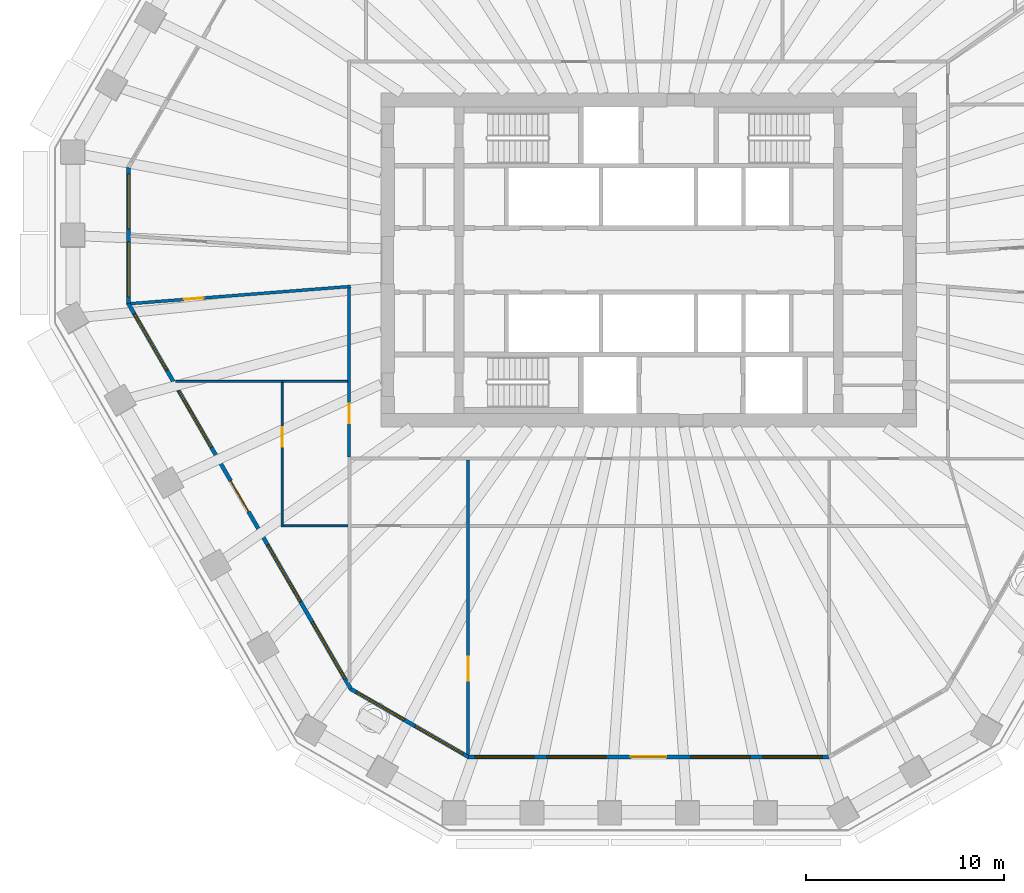
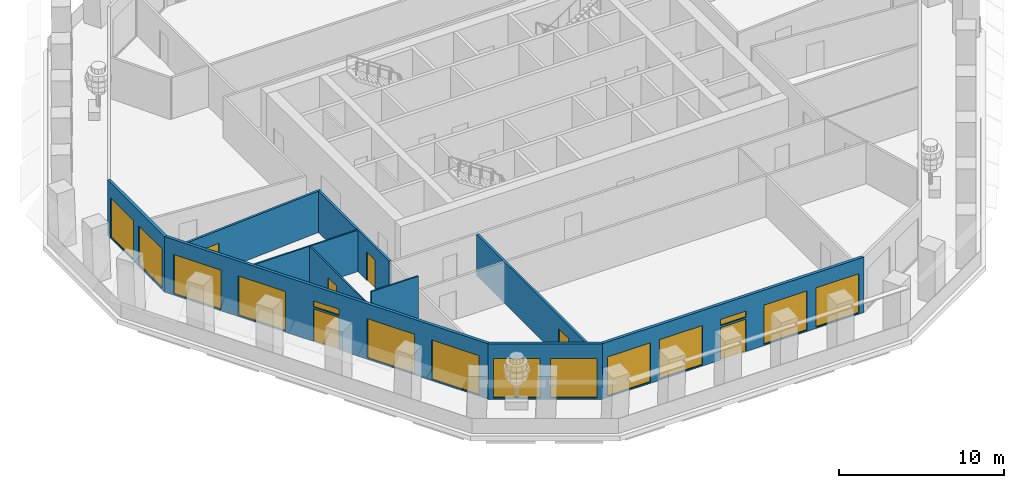
# One storey, part 3 of 13: 14 windows, 10 walls, 6 doors, 20 openings.
"""IFC4 building model written with IfcOpenShell, lengths in metres."""

from ifc_helpers import new_model, si_unit, direction, frame, frame_2d, origin, place, context, subcontext, project, spatial, polyline, rectangle, outline, extrude, material, layer, layer_set, type_object, element, fill, save


model = new_model("IFC4")

# Units and contexts
model_context = context("Model", 3, precision=1e-05, world=origin(), true_north=direction((0.0, 1.0)))
body_context = subcontext(model_context, "Body", "Model", "MODEL_VIEW")
ifc_project = project(units=[si_unit("LENGTHUNIT", "METRE"), si_unit("AREAUNIT", "SQUARE_METRE"), si_unit("VOLUMEUNIT", "CUBIC_METRE"), si_unit("PLANEANGLEUNIT", "RADIAN"), si_unit("MASSUNIT", "GRAM", prefix="KILO")], contexts=[model_context])

# Site, building, storey
site_placement = place(None, origin())
site = spatial("IfcSite", under=ifc_project, at=site_placement, CompositionType="ELEMENT")
building_placement = place(site_placement, origin())
building = spatial("IfcBuilding", under=site, at=building_placement, Name="Frailejon Research Tower", CompositionType="ELEMENT")
storey_placement = place(building_placement, frame((0.0, 0.0, 184.800048828125)))
storey = spatial("IfcBuildingStorey", under=building, at=storey_placement, Name="L40", CompositionType="ELEMENT", Elevation=184.800048828125)

# Wall, opening, door
ifc_material_1 = material(Name="Gypsum board and masonry partition", Category="masonry")
ifc_layer_1 = layer(ifc_material_1, 0.14990234375)
ifc_layer_set_1 = layer_set([ifc_layer_1], Name="Corridor wall EI 60, gypsum on steel studs 150")
wall_type_1 = type_object("IfcWallType", Name="Corridor wall EI 60, gypsum on steel studs 150", PredefinedType="PARTITIONING", material=ifc_layer_set_1)
wall_1_placement = place(storey_placement, frame((-15.14990234375, -9.97509765625, 0.0), z_axis=(0.0, 0.0, 1.0), x_axis=(0.0, 1.0, 0.0)))
wall_1 = element("IfcWall", 1, at=wall_1_placement, inside=storey, type_object=wall_type_1, Name="T:IW:L40:004", PredefinedType="PARTITIONING", context=body_context, shape_type="SweptSolid", body=[
    extrude(rectangle(XDim=8.5625, YDim=0.14990234375, at=frame_2d((4.28125, 0.0))), origin(), (0.0, 0.0, 1.0), 3.050048828125),
])
opening_1_placement = place(wall_1_placement, frame((1.716796875, 0.0, 0.0)))
opening_1 = element("IfcOpeningElement", 2, at=opening_1_placement, cuts=wall_1, Name="Opening D1872", PredefinedType="OPENING", context=body_context, shape_type="SweptSolid", body=[
    extrude(rectangle(XDim=1.0, YDim=2.10009765625, at=frame_2d((0.5, 1.050048828125))), frame((0.0, 0.0849609375, 0.0), z_axis=(0.0, -1.0, 0.0), x_axis=(1.0, 0.0, 0.0)), (0.0, 0.0, 1.0), 0.169921875),
])
ifc_material_2 = material(Name="Timber door leaf", Category="wood")
door_type_1 = type_object("IfcDoorType", Name="Door single leaf, timber, steel frame 1000", OperationType="NOTDEFINED", PredefinedType="DOOR", material=ifc_material_2)
door_1_placement = place(opening_1_placement, origin())
door_1 = element("IfcDoor", 3, at=door_1_placement, inside=storey, type_object=door_type_1, Name="D1872", OperationType="SINGLE_SWING_RIGHT", OverallHeight=2.10009765625, OverallWidth=1.0, PredefinedType="DOOR", context=body_context, shape_type="SweptSolid", body=[
    extrude(rectangle(XDim=1.0, YDim=2.10009765625, at=frame_2d((0.5, 1.050048828125))), frame((0.0, 0.02490234375, 0.0), z_axis=(0.0, -1.0, 0.0), x_axis=(1.0, 0.0, 0.0)), (0.0, 0.0, 1.0), 0.050048828125),
])
fill(opening_1, door_1)

wall_2_placement = place(storey_placement, frame((-26.210205078125, -2.202392578125, 0.0), z_axis=(0.0, 0.0, 1.0), x_axis=(0.9969573922, 0.077948432559, 0.0)))
wall_2 = element("IfcWall", 4, at=wall_2_placement, inside=storey, type_object=wall_type_1, Name="T:IW:L40:008", PredefinedType="PARTITIONING", context=body_context, shape_type="SweptSolid", body=[
    extrude(rectangle(XDim=11.1689453125, YDim=0.14990234375, at=frame_2d((5.58447265625, 0.0))), origin(), (0.0, 0.0, 1.0), 3.050048828125),
])
opening_2_placement = place(wall_2_placement, frame((2.698486328125, 0.0, 0.0)))
opening_2 = element("IfcOpeningElement", 5, at=opening_2_placement, cuts=wall_2, Name="Opening D1871", PredefinedType="OPENING", context=body_context, shape_type="SweptSolid", body=[
    extrude(rectangle(XDim=1.0, YDim=2.10009765625, at=frame_2d((0.5, 1.050048828125))), frame((0.0, 0.0849609375, 0.0), z_axis=(0.0, -1.0, 0.0), x_axis=(1.0, 0.0, 0.0)), (0.0, 0.0, 1.0), 0.169921875),
])
door_2_placement = place(opening_2_placement, origin())
door_2 = element("IfcDoor", 6, at=door_2_placement, inside=storey, type_object=door_type_1, Name="D1871", OperationType="SINGLE_SWING_LEFT", OverallHeight=2.10009765625, OverallWidth=1.0, PredefinedType="DOOR", context=body_context, shape_type="SweptSolid", body=[
    extrude(rectangle(XDim=1.0, YDim=2.10009765625, at=frame_2d((0.5, 1.050048828125))), frame((0.0, 0.02490234375, 0.0), z_axis=(0.0, -1.0, 0.0), x_axis=(1.0, 0.0, 0.0)), (0.0, 0.0, 1.0), 0.050048828125),
])
fill(opening_2, door_2)

ifc_material_3 = material(Name="Gypsum board and masonry partition", Category="masonry")
ifc_layer_2 = layer(ifc_material_3, 0.14990234375)
ifc_layer_set_2 = layer_set([ifc_layer_2], Name="Laboratory partition, blockwork 150")
wall_type_2 = type_object("IfcWallType", Name="Laboratory partition, blockwork 150", PredefinedType="PARTITIONING", material=ifc_layer_set_2)
wall_3_placement = place(storey_placement, frame((-9.137939453125, -25.013427734375, 0.0), z_axis=(0.0, 0.0, 1.0), x_axis=(0.0, 1.0, 0.0)))
wall_3 = element("IfcWall", 7, at=wall_3_placement, inside=storey, type_object=wall_type_2, Name="T:IW:L40:020", PredefinedType="PARTITIONING", context=body_context, shape_type="SweptSolid", body=[
    extrude(rectangle(XDim=14.888427734375, YDim=0.14990234375, at=frame_2d((7.4443359375, 0.0))), origin(), (0.0, 0.0, 1.0), 3.050048828125),
])
opening_3_placement = place(wall_3_placement, frame((3.732177734375, 0.0, 0.0)))
opening_3 = element("IfcOpeningElement", 8, at=opening_3_placement, cuts=wall_3, Name="Opening D1876", PredefinedType="OPENING", context=body_context, shape_type="SweptSolid", body=[
    extrude(rectangle(XDim=1.199951171875, YDim=2.10009765625, at=frame_2d((0.60009765625, 1.050048828125))), frame((0.0, 0.0849609375, 0.0), z_axis=(0.0, -1.0, 0.0), x_axis=(1.0, 0.0, 0.0)), (0.0, 0.0, 1.0), 0.169921875),
])
ifc_material_4 = material(Name="Timber door leaf", Category="wood")
door_type_2 = type_object("IfcDoorType", Name="Door laboratory, timber, vision panel 1200", OperationType="NOTDEFINED", PredefinedType="DOOR", material=ifc_material_4)
door_3_placement = place(opening_3_placement, origin())
door_3 = element("IfcDoor", 9, at=door_3_placement, inside=storey, type_object=door_type_2, Name="D1876", OperationType="DOUBLE_DOOR_SINGLE_SWING", OverallHeight=2.10009765625, OverallWidth=1.199951171875, PredefinedType="DOOR", context=body_context, shape_type="SweptSolid", body=[
    extrude(rectangle(XDim=1.199951171875, YDim=2.10009765625, at=frame_2d((0.60009765625, 1.050048828125))), frame((0.0, 0.02490234375, 0.0), z_axis=(0.0, -1.0, 0.0), x_axis=(1.0, 0.0, 0.0)), (0.0, 0.0, 1.0), 0.050048828125),
])
fill(opening_3, door_3)

# Walls
ifc_material_5 = material(Name="Gypsum board and masonry partition", Category="masonry")
ifc_layer_3 = layer(ifc_material_5, 0.10009765625)
ifc_layer_set_3 = layer_set([ifc_layer_3], Name="Partition, gypsum on steel studs 100")
wall_type_3 = type_object("IfcWallType", Name="Partition, gypsum on steel studs 100", PredefinedType="PARTITIONING", material=ifc_layer_set_3)
wall_4_placement = place(storey_placement, frame((-23.941650390625, -6.1318359375, 0.0), z_axis=(0.0, 0.0, 1.0), x_axis=(1.0, 0.0, 0.0)))
element("IfcWall", 10, at=wall_4_placement, inside=storey, type_object=wall_type_3, Name="T:IW:L40:024", PredefinedType="PARTITIONING", context=body_context, shape_type="SweptSolid", body=[
    extrude(rectangle(XDim=8.716552734375, YDim=0.10009765625, at=frame_2d((4.3583984375, 0.0))), origin(), (0.0, 0.0, 1.0), 3.050048828125),
])
wall_5_placement = place(storey_placement, frame((-18.5, -13.449951171875, 0.0), z_axis=(0.0, 0.0, 1.0), x_axis=(1.0, 0.0, 0.0)))
element("IfcWall", 11, at=wall_5_placement, inside=storey, type_object=wall_type_3, Name="T:IW:L40:025", PredefinedType="PARTITIONING", context=body_context, shape_type="SweptSolid", body=[
    extrude(rectangle(XDim=3.287109375, YDim=0.10009765625, at=frame_2d((1.6435546875, 0.0))), origin(), (0.0, 0.0, 1.0), 4.099853515625),
])

# Wall, opening, door
wall_6_placement = place(storey_placement, frame((-18.550048828125, -13.5, 0.0), z_axis=(0.0, 0.0, 1.0), x_axis=(0.0, 1.0, 0.0)))
wall_6 = element("IfcWall", 12, at=wall_6_placement, inside=storey, type_object=wall_type_3, Name="T:IW:L40:026", PredefinedType="PARTITIONING", context=body_context, shape_type="SweptSolid", body=[
    extrude(rectangle(XDim=7.318115234375, YDim=0.10009765625, at=frame_2d((3.6591796875, 0.0))), origin(), (0.0, 0.0, 1.0), 3.050048828125),
])
opening_4_placement = place(wall_6_placement, frame((4.0517578125, 0.0, 0.0)))
opening_4 = element("IfcOpeningElement", 13, at=opening_4_placement, cuts=wall_6, Name="Opening D1873", PredefinedType="OPENING", context=body_context, shape_type="SweptSolid", body=[
    extrude(rectangle(XDim=1.0, YDim=2.10009765625, at=frame_2d((0.5, 1.050048828125))), frame((0.0, 0.06005859375, 0.0), z_axis=(0.0, -1.0, 0.0), x_axis=(1.0, 0.0, 0.0)), (0.0, 0.0, 1.0), 0.1201171875),
])
door_4_placement = place(opening_4_placement, origin())
door_4 = element("IfcDoor", 14, at=door_4_placement, inside=storey, type_object=door_type_1, Name="D1873", OperationType="SINGLE_SWING_LEFT", OverallHeight=2.10009765625, OverallWidth=1.0, PredefinedType="DOOR", context=body_context, shape_type="SweptSolid", body=[
    extrude(rectangle(XDim=1.0, YDim=2.10009765625, at=frame_2d((0.5, 1.050048828125))), frame((0.0, 0.02490234375, 0.0), z_axis=(0.0, -1.0, 0.0), x_axis=(1.0, 0.0, 0.0)), (0.0, 0.0, 1.0), 0.050048828125),
])
fill(opening_4, door_4)

# Wall, openings, windows
ifc_material_6 = material(Name="Concrete C40/50 precast window wall panel", Category="concrete")
ifc_layer_4 = layer(ifc_material_6, 0.199951171875)
ifc_layer_set_4 = layer_set([ifc_layer_4], Name="Window wall 200")
wall_type_4 = type_object("IfcWallType", Name="Window wall 200", PredefinedType="SOLIDWALL", material=ifc_layer_set_4)
wall_7_placement = place(storey_placement, frame((-26.331298828125, 4.681884765625, 0.0), z_axis=(0.0, 0.0, 1.0), x_axis=(0.0, -1.0, 0.0)))
wall_7 = element("IfcWall", 15, at=wall_7_placement, inside=storey, type_object=wall_type_4, Name="Exterior wall L40", PredefinedType="SOLIDWALL", context=body_context, shape_type="SweptSolid", body=[
    extrude(outline(polyline([(-0.02685546875, -0.10009765625), (1.1279296875, -0.10009765625), (2.28271484375, -0.10009765625), (3.4375, -0.10009765625), (4.592041015625, -0.10009765625), (5.746826171875, -0.10009765625), (6.901611328125, -0.10009765625), (6.847900390625, 0.10009765625), (5.7109375, 0.10009765625), (4.57421875, 0.10009765625), (3.4375, 0.10009765625), (2.300537109375, 0.10009765625), (1.16357421875, 0.10009765625), (0.02685546875, 0.10009765625), (-0.02685546875, -0.10009765625)])), origin(), (0.0, 0.0, 1.0), 4.099853515625),
])
opening_5_placement = place(wall_7_placement, frame((0.318603515625, 0.0, 0.10009765625)))
opening_5 = element("IfcOpeningElement", 16, at=opening_5_placement, cuts=wall_7, Name="Opening W3", PredefinedType="OPENING", context=body_context, shape_type="SweptSolid", body=[
    extrude(rectangle(XDim=2.800048828125, YDim=2.89990234375, at=frame_2d((1.39990234375, 1.449951171875))), frame((0.0, 0.10986328125, 0.0), z_axis=(0.0, -1.0, 0.0), x_axis=(1.0, 0.0, 0.0)), (0.0, 0.0, 1.0), 0.219970703125),
])
opening_6_placement = place(wall_7_placement, frame((3.756103515625, 0.0, 0.10009765625)))
opening_6 = element("IfcOpeningElement", 17, at=opening_6_placement, cuts=wall_7, Name="Opening W3", PredefinedType="OPENING", context=body_context, shape_type="SweptSolid", body=[
    extrude(rectangle(XDim=2.800048828125, YDim=2.89990234375, at=frame_2d((1.39990234375, 1.449951171875))), frame((0.0, 0.10986328125, 0.0), z_axis=(0.0, -1.0, 0.0), x_axis=(1.0, 0.0, 0.0)), (0.0, 0.0, 1.0), 0.219970703125),
])
ifc_material_7 = material(Name="Aluminium framed double glazing", Category="aluminium")
window_type_1 = type_object("IfcWindowType", Name="Window 2800x2900", PartitioningType="SINGLE_PANEL", PredefinedType="WINDOW", material=ifc_material_7)
window_1_placement = place(opening_5_placement, origin())
window_1 = element("IfcWindow", 18, at=window_1_placement, inside=storey, type_object=window_type_1, Name="Window L40", OverallHeight=2.89990234375, OverallWidth=2.800048828125, PartitioningType="SINGLE_PANEL", PredefinedType="WINDOW", context=body_context, shape_type="SweptSolid", body=[
    extrude(rectangle(XDim=2.800048828125, YDim=2.89990234375, at=frame_2d((1.39990234375, 1.449951171875))), frame((0.0, 0.030029296875, 0.0), z_axis=(0.0, -1.0, 0.0), x_axis=(1.0, 0.0, 0.0)), (0.0, 0.0, 1.0), 0.06005859375),
])
fill(opening_5, window_1)
window_2_placement = place(opening_6_placement, origin())
window_2 = element("IfcWindow", 19, at=window_2_placement, inside=storey, type_object=window_type_1, Name="Window L40", OverallHeight=2.89990234375, OverallWidth=2.800048828125, PartitioningType="SINGLE_PANEL", PredefinedType="WINDOW", context=body_context, shape_type="SweptSolid", body=[
    extrude(rectangle(XDim=2.800048828125, YDim=2.89990234375, at=frame_2d((1.39990234375, 1.449951171875))), frame((0.0, 0.030029296875, 0.0), z_axis=(0.0, -1.0, 0.0), x_axis=(1.0, 0.0, 0.0)), (0.0, 0.0, 1.0), 0.06005859375),
])
fill(opening_6, window_2)

# Wall, openings, door, windows
wall_8_placement = place(storey_placement, frame((-26.331298828125, -2.19287109375, 0.0), z_axis=(0.0, 0.0, 1.0), x_axis=(0.499998501835, -0.866026268748, 0.0)))
wall_8 = element("IfcWall", 20, at=wall_8_placement, inside=storey, type_object=wall_type_4, Name="Exterior wall L40", PredefinedType="SOLIDWALL", context=body_context, shape_type="SweptSolid", body=[
    extrude(outline(polyline([(-0.02685546875, -0.10009765625), (0.999755859375, -0.10009765625), (2.026611328125, -0.10009765625), (3.05322265625, -0.10009765625), (4.079833984375, -0.10009765625), (5.1064453125, -0.10009765625), (6.13330078125, -0.10009765625), (7.159912109375, -0.10009765625), (8.1865234375, -0.10009765625), (9.213134765625, -0.10009765625), (10.239990234375, -0.10009765625), (11.2666015625, -0.10009765625), (12.293212890625, -0.10009765625), (13.320068359375, -0.10009765625), (14.3466796875, -0.10009765625), (15.373291015625, -0.10009765625), (16.39990234375, -0.10009765625), (17.4267578125, -0.10009765625), (18.453369140625, -0.10009765625), (19.47998046875, -0.10009765625), (20.506591796875, -0.10009765625), (21.533447265625, -0.10009765625), (22.56005859375, -0.10009765625), (22.50634765625, 0.10009765625), (21.484619140625, 0.10009765625), (20.462646484375, 0.10009765625), (19.44091796875, 0.10009765625), (18.419189453125, 0.10009765625), (17.3974609375, 0.10009765625), (16.37548828125, 0.10009765625), (15.353759765625, 0.10009765625), (14.33203125, 0.10009765625), (13.310302734375, 0.10009765625), (12.288330078125, 0.10009765625), (11.2666015625, 0.10009765625), (10.244873046875, 0.10009765625), (9.222900390625, 0.10009765625), (8.201171875, 0.10009765625), (7.179443359375, 0.10009765625), (6.15771484375, 0.10009765625), (5.1357421875, 0.10009765625), (4.114013671875, 0.10009765625), (3.09228515625, 0.10009765625), (2.070556640625, 0.10009765625), (1.048583984375, 0.10009765625), (0.02685546875, 0.10009765625), (-0.02685546875, -0.10009765625)])), origin(), (0.0, 0.0, 1.0), 4.099853515625),
])
opening_7_placement = place(wall_8_placement, frame((0.603271484375, 0.0, 0.10009765625)))
opening_7 = element("IfcOpeningElement", 21, at=opening_7_placement, cuts=wall_8, Name="Opening W5", PredefinedType="OPENING", context=body_context, shape_type="SweptSolid", body=[
    extrude(rectangle(XDim=3.300048828125, YDim=2.89990234375, at=frame_2d((1.64990234375, 1.449951171875))), frame((0.0, 0.10986328125, 0.0), z_axis=(0.0, -1.0, 0.0), x_axis=(1.0, 0.0, 0.0)), (0.0, 0.0, 1.0), 0.219970703125),
])
opening_8_placement = place(wall_8_placement, frame((5.110107421875, 0.0, 0.10009765625)))
opening_8 = element("IfcOpeningElement", 22, at=opening_8_placement, cuts=wall_8, Name="Opening W5", PredefinedType="OPENING", context=body_context, shape_type="SweptSolid", body=[
    extrude(rectangle(XDim=3.300048828125, YDim=2.89990234375, at=frame_2d((1.64990234375, 1.449951171875))), frame((0.0, 0.10986328125, 0.0), z_axis=(0.0, -1.0, 0.0), x_axis=(1.0, 0.0, 0.0)), (0.0, 0.0, 1.0), 0.219970703125),
])
opening_9_placement = place(wall_8_placement, frame((10.36669921875, 0.0, 0.0)))
opening_9 = element("IfcOpeningElement", 23, at=opening_9_placement, cuts=wall_8, Name="Opening LG40-4", PredefinedType="OPENING", context=body_context, shape_type="SweptSolid", body=[
    extrude(rectangle(XDim=1.800048828125, YDim=2.39990234375, at=frame_2d((0.89990234375, 1.199951171875))), frame((0.0, 0.10986328125, 0.0), z_axis=(0.0, -1.0, 0.0), x_axis=(1.0, 0.0, 0.0)), (0.0, 0.0, 1.0), 0.219970703125),
])
opening_10_placement = place(wall_8_placement, frame((10.36669921875, 0.0, 2.550048828125)))
opening_10 = element("IfcOpeningElement", 24, at=opening_10_placement, cuts=wall_8, Name="Opening W1", PredefinedType="OPENING", context=body_context, shape_type="SweptSolid", body=[
    extrude(rectangle(XDim=1.800048828125, YDim=0.449951171875, at=frame_2d((0.89990234375, 0.22509765625))), frame((0.0, 0.10986328125, 0.0), z_axis=(0.0, -1.0, 0.0), x_axis=(1.0, 0.0, 0.0)), (0.0, 0.0, 1.0), 0.219970703125),
])
opening_11_placement = place(wall_8_placement, frame((14.123291015625, 0.0, 0.10009765625)))
opening_11 = element("IfcOpeningElement", 25, at=opening_11_placement, cuts=wall_8, Name="Opening W5", PredefinedType="OPENING", context=body_context, shape_type="SweptSolid", body=[
    extrude(rectangle(XDim=3.300048828125, YDim=2.89990234375, at=frame_2d((1.64990234375, 1.449951171875))), frame((0.0, 0.10986328125, 0.0), z_axis=(0.0, -1.0, 0.0), x_axis=(1.0, 0.0, 0.0)), (0.0, 0.0, 1.0), 0.219970703125),
])
opening_12_placement = place(wall_8_placement, frame((18.6298828125, 0.0, 0.10009765625)))
opening_12 = element("IfcOpeningElement", 26, at=opening_12_placement, cuts=wall_8, Name="Opening W5", PredefinedType="OPENING", context=body_context, shape_type="SweptSolid", body=[
    extrude(rectangle(XDim=3.300048828125, YDim=2.89990234375, at=frame_2d((1.64990234375, 1.449951171875))), frame((0.0, 0.10986328125, 0.0), z_axis=(0.0, -1.0, 0.0), x_axis=(1.0, 0.0, 0.0)), (0.0, 0.0, 1.0), 0.219970703125),
])
ifc_material_8 = material(Name="Aluminium framed glazed door leaf", Category="aluminium")
door_type_3 = type_object("IfcDoorType", Name="Loggia door 1800x2400", OperationType="DOUBLE_DOOR_SINGLE_SWING", PredefinedType="DOOR", material=ifc_material_8)
door_5_placement = place(opening_9_placement, origin())
door_5 = element("IfcDoor", 27, at=door_5_placement, inside=storey, type_object=door_type_3, Name="Door LG40-4", OperationType="DOUBLE_DOOR_SINGLE_SWING", OverallHeight=2.39990234375, OverallWidth=1.800048828125, PredefinedType="DOOR", context=body_context, shape_type="SweptSolid", body=[
    extrude(rectangle(XDim=1.800048828125, YDim=2.39990234375, at=frame_2d((0.89990234375, 1.199951171875))), frame((0.0, 0.02490234375, 0.0), z_axis=(0.0, -1.0, 0.0), x_axis=(1.0, 0.0, 0.0)), (0.0, 0.0, 1.0), 0.050048828125),
])
fill(opening_9, door_5)
ifc_material_9 = material(Name="Aluminium framed double glazing", Category="aluminium")
window_type_2 = type_object("IfcWindowType", Name="Window 1800x450", PartitioningType="SINGLE_PANEL", PredefinedType="WINDOW", material=ifc_material_9)
window_3_placement = place(opening_10_placement, origin())
window_3 = element("IfcWindow", 28, at=window_3_placement, inside=storey, type_object=window_type_2, Name="Window L40", OverallHeight=0.449951171875, OverallWidth=1.800048828125, PartitioningType="SINGLE_PANEL", PredefinedType="WINDOW", context=body_context, shape_type="SweptSolid", body=[
    extrude(rectangle(XDim=1.800048828125, YDim=0.449951171875, at=frame_2d((0.89990234375, 0.22509765625))), frame((0.0, 0.030029296875, 0.0), z_axis=(0.0, -1.0, 0.0), x_axis=(1.0, 0.0, 0.0)), (0.0, 0.0, 1.0), 0.06005859375),
])
fill(opening_10, window_3)
ifc_material_10 = material(Name="Aluminium framed double glazing", Category="aluminium")
window_type_3 = type_object("IfcWindowType", Name="Window 3300x2900", PartitioningType="SINGLE_PANEL", PredefinedType="WINDOW", material=ifc_material_10)
window_4_placement = place(opening_7_placement, origin())
window_4 = element("IfcWindow", 29, at=window_4_placement, inside=storey, type_object=window_type_3, Name="Window L40", OverallHeight=2.89990234375, OverallWidth=3.300048828125, PartitioningType="SINGLE_PANEL", PredefinedType="WINDOW", context=body_context, shape_type="SweptSolid", body=[
    extrude(rectangle(XDim=3.300048828125, YDim=2.89990234375, at=frame_2d((1.64990234375, 1.449951171875))), frame((0.0, 0.030029296875, 0.0), z_axis=(0.0, -1.0, 0.0), x_axis=(1.0, 0.0, 0.0)), (0.0, 0.0, 1.0), 0.06005859375),
])
fill(opening_7, window_4)
window_5_placement = place(opening_8_placement, origin())
window_5 = element("IfcWindow", 30, at=window_5_placement, inside=storey, type_object=window_type_3, Name="Window L40", OverallHeight=2.89990234375, OverallWidth=3.300048828125, PartitioningType="SINGLE_PANEL", PredefinedType="WINDOW", context=body_context, shape_type="SweptSolid", body=[
    extrude(rectangle(XDim=3.300048828125, YDim=2.89990234375, at=frame_2d((1.64990234375, 1.449951171875))), frame((0.0, 0.030029296875, 0.0), z_axis=(0.0, -1.0, 0.0), x_axis=(1.0, 0.0, 0.0)), (0.0, 0.0, 1.0), 0.06005859375),
])
fill(opening_8, window_5)
window_6_placement = place(opening_11_placement, origin())
window_6 = element("IfcWindow", 31, at=window_6_placement, inside=storey, type_object=window_type_3, Name="Window L40", OverallHeight=2.89990234375, OverallWidth=3.300048828125, PartitioningType="SINGLE_PANEL", PredefinedType="WINDOW", context=body_context, shape_type="SweptSolid", body=[
    extrude(rectangle(XDim=3.300048828125, YDim=2.89990234375, at=frame_2d((1.64990234375, 1.449951171875))), frame((0.0, 0.030029296875, 0.0), z_axis=(0.0, -1.0, 0.0), x_axis=(1.0, 0.0, 0.0)), (0.0, 0.0, 1.0), 0.06005859375),
])
fill(opening_11, window_6)
window_7_placement = place(opening_12_placement, origin())
window_7 = element("IfcWindow", 32, at=window_7_placement, inside=storey, type_object=window_type_3, Name="Window L40", OverallHeight=2.89990234375, OverallWidth=3.300048828125, PartitioningType="SINGLE_PANEL", PredefinedType="WINDOW", context=body_context, shape_type="SweptSolid", body=[
    extrude(rectangle(XDim=3.300048828125, YDim=2.89990234375, at=frame_2d((1.64990234375, 1.449951171875))), frame((0.0, 0.030029296875, 0.0), z_axis=(0.0, -1.0, 0.0), x_axis=(1.0, 0.0, 0.0)), (0.0, 0.0, 1.0), 0.06005859375),
])
fill(opening_12, window_7)

# Wall, openings, windows
wall_9_placement = place(storey_placement, frame((-15.064697265625, -21.707275390625, 0.0), z_axis=(0.0, 0.0, 1.0), x_axis=(0.866029458321, -0.49999297727, 0.0)))
wall_9 = element("IfcWall", 33, at=wall_9_placement, inside=storey, type_object=wall_type_4, Name="Exterior wall L40", PredefinedType="SOLIDWALL", context=body_context, shape_type="SweptSolid", body=[
    extrude(outline(polyline([(-0.02685546875, -0.10009765625), (1.1279296875, -0.10009765625), (2.282470703125, -0.10009765625), (3.437255859375, -0.10009765625), (4.592041015625, -0.10009765625), (5.74658203125, -0.10009765625), (6.9013671875, -0.10009765625), (6.84765625, 0.10009765625), (5.7109375, 0.10009765625), (4.573974609375, 0.10009765625), (3.437255859375, 0.10009765625), (2.300537109375, 0.10009765625), (1.16357421875, 0.10009765625), (0.02685546875, 0.10009765625), (-0.02685546875, -0.10009765625)])), origin(), (0.0, 0.0, 1.0), 4.099853515625),
])
opening_13_placement = place(wall_9_placement, frame((0.318603515625, 0.0, 0.10009765625)))
opening_13 = element("IfcOpeningElement", 34, at=opening_13_placement, cuts=wall_9, Name="Opening W3", PredefinedType="OPENING", context=body_context, shape_type="SweptSolid", body=[
    extrude(rectangle(XDim=2.800048828125, YDim=2.89990234375, at=frame_2d((1.39990234375, 1.449951171875))), frame((0.0, 0.10986328125, 0.0), z_axis=(0.0, -1.0, 0.0), x_axis=(1.0, 0.0, 0.0)), (0.0, 0.0, 1.0), 0.219970703125),
])
opening_14_placement = place(wall_9_placement, frame((3.756103515625, 0.0, 0.10009765625)))
opening_14 = element("IfcOpeningElement", 35, at=opening_14_placement, cuts=wall_9, Name="Opening W3", PredefinedType="OPENING", context=body_context, shape_type="SweptSolid", body=[
    extrude(rectangle(XDim=2.800048828125, YDim=2.89990234375, at=frame_2d((1.39990234375, 1.449951171875))), frame((0.0, 0.10986328125, 0.0), z_axis=(0.0, -1.0, 0.0), x_axis=(1.0, 0.0, 0.0)), (0.0, 0.0, 1.0), 0.219970703125),
])
window_8_placement = place(opening_13_placement, origin())
window_8 = element("IfcWindow", 36, at=window_8_placement, inside=storey, type_object=window_type_1, Name="Window L40", OverallHeight=2.89990234375, OverallWidth=2.800048828125, PartitioningType="SINGLE_PANEL", PredefinedType="WINDOW", context=body_context, shape_type="SweptSolid", body=[
    extrude(rectangle(XDim=2.800048828125, YDim=2.89990234375, at=frame_2d((1.39990234375, 1.449951171875))), frame((0.0, 0.030029296875, 0.0), z_axis=(0.0, -1.0, 0.0), x_axis=(1.0, 0.0, 0.0)), (0.0, 0.0, 1.0), 0.06005859375),
])
fill(opening_13, window_8)
window_9_placement = place(opening_14_placement, origin())
window_9 = element("IfcWindow", 37, at=window_9_placement, inside=storey, type_object=window_type_1, Name="Window L40", OverallHeight=2.89990234375, OverallWidth=2.800048828125, PartitioningType="SINGLE_PANEL", PredefinedType="WINDOW", context=body_context, shape_type="SweptSolid", body=[
    extrude(rectangle(XDim=2.800048828125, YDim=2.89990234375, at=frame_2d((1.39990234375, 1.449951171875))), frame((0.0, 0.030029296875, 0.0), z_axis=(0.0, -1.0, 0.0), x_axis=(1.0, 0.0, 0.0)), (0.0, 0.0, 1.0), 0.06005859375),
])
fill(opening_14, window_9)

# Wall, openings, door, windows
wall_10_placement = place(storey_placement, frame((-9.111083984375, -25.14453125, 0.0), z_axis=(0.0, 0.0, 1.0), x_axis=(1.0, 0.0, 0.0)))
wall_10 = element("IfcWall", 38, at=wall_10_placement, inside=storey, type_object=wall_type_4, Name="Exterior wall L40", PredefinedType="SOLIDWALL", context=body_context, shape_type="SweptSolid", body=[
    extrude(outline(polyline([(-0.02685546875, -0.10009765625), (0.988525390625, -0.10009765625), (2.00390625, -0.10009765625), (3.01904296875, -0.10009765625), (4.034423828125, -0.10009765625), (5.0498046875, -0.10009765625), (6.065185546875, -0.10009765625), (7.080322265625, -0.10009765625), (8.095703125, -0.10009765625), (9.111083984375, -0.10009765625), (10.12646484375, -0.10009765625), (11.141845703125, -0.10009765625), (12.156982421875, -0.10009765625), (13.17236328125, -0.10009765625), (14.187744140625, -0.10009765625), (15.203125, -0.10009765625), (16.21826171875, -0.10009765625), (17.233642578125, -0.10009765625), (18.2490234375, -0.10009765625), (18.1953125, 0.10009765625), (17.18603515625, 0.10009765625), (16.176513671875, 0.10009765625), (15.167236328125, 0.10009765625), (14.157958984375, 0.10009765625), (13.1484375, 0.10009765625), (12.13916015625, 0.10009765625), (11.1298828125, 0.10009765625), (10.120361328125, 0.10009765625), (9.111083984375, 0.10009765625), (8.101806640625, 0.10009765625), (7.09228515625, 0.10009765625), (6.0830078125, 0.10009765625), (5.07373046875, 0.10009765625), (4.064208984375, 0.10009765625), (3.054931640625, 0.10009765625), (2.045654296875, 0.10009765625), (1.0361328125, 0.10009765625), (0.02685546875, 0.10009765625), (-0.02685546875, -0.10009765625)])), origin(), (0.0, 0.0, 1.0), 4.099853515625),
])
opening_15_placement = place(wall_10_placement, frame((0.322265625, 0.0, 0.10009765625)))
opening_15 = element("IfcOpeningElement", 39, at=opening_15_placement, cuts=wall_10, Name="Opening W4", PredefinedType="OPENING", context=body_context, shape_type="SweptSolid", body=[
    extrude(rectangle(XDim=3.0, YDim=2.89990234375, at=frame_2d((1.5, 1.449951171875))), frame((0.0, 0.10986328125, 0.0), z_axis=(0.0, -1.0, 0.0), x_axis=(1.0, 0.0, 0.0)), (0.0, 0.0, 1.0), 0.219970703125),
])
opening_16_placement = place(wall_10_placement, frame((3.966796875, 0.0, 0.10009765625)))
opening_16 = element("IfcOpeningElement", 40, at=opening_16_placement, cuts=wall_10, Name="Opening W4", PredefinedType="OPENING", context=body_context, shape_type="SweptSolid", body=[
    extrude(rectangle(XDim=3.0, YDim=2.89990234375, at=frame_2d((1.5, 1.449951171875))), frame((0.0, 0.10986328125, 0.0), z_axis=(0.0, -1.0, 0.0), x_axis=(1.0, 0.0, 0.0)), (0.0, 0.0, 1.0), 0.219970703125),
])
opening_17_placement = place(wall_10_placement, frame((8.211181640625, 0.0, 0.0)))
opening_17 = element("IfcOpeningElement", 41, at=opening_17_placement, cuts=wall_10, Name="Opening LG40-5", PredefinedType="OPENING", context=body_context, shape_type="SweptSolid", body=[
    extrude(rectangle(XDim=1.800048828125, YDim=2.39990234375, at=frame_2d((0.89990234375, 1.199951171875))), frame((0.0, 0.10986328125, 0.0), z_axis=(0.0, -1.0, 0.0), x_axis=(1.0, 0.0, 0.0)), (0.0, 0.0, 1.0), 0.219970703125),
])
opening_18_placement = place(wall_10_placement, frame((8.211181640625, 0.0, 2.550048828125)))
opening_18 = element("IfcOpeningElement", 42, at=opening_18_placement, cuts=wall_10, Name="Opening W1", PredefinedType="OPENING", context=body_context, shape_type="SweptSolid", body=[
    extrude(rectangle(XDim=1.800048828125, YDim=0.449951171875, at=frame_2d((0.89990234375, 0.22509765625))), frame((0.0, 0.10986328125, 0.0), z_axis=(0.0, -1.0, 0.0), x_axis=(1.0, 0.0, 0.0)), (0.0, 0.0, 1.0), 0.219970703125),
])
opening_19_placement = place(wall_10_placement, frame((11.255615234375, 0.0, 0.10009765625)))
opening_19 = element("IfcOpeningElement", 43, at=opening_19_placement, cuts=wall_10, Name="Opening W4", PredefinedType="OPENING", context=body_context, shape_type="SweptSolid", body=[
    extrude(rectangle(XDim=3.0, YDim=2.89990234375, at=frame_2d((1.5, 1.449951171875))), frame((0.0, 0.10986328125, 0.0), z_axis=(0.0, -1.0, 0.0), x_axis=(1.0, 0.0, 0.0)), (0.0, 0.0, 1.0), 0.219970703125),
])
opening_20_placement = place(wall_10_placement, frame((14.89990234375, 0.0, 0.10009765625)))
opening_20 = element("IfcOpeningElement", 44, at=opening_20_placement, cuts=wall_10, Name="Opening W4", PredefinedType="OPENING", context=body_context, shape_type="SweptSolid", body=[
    extrude(rectangle(XDim=3.0, YDim=2.89990234375, at=frame_2d((1.5, 1.449951171875))), frame((0.0, 0.10986328125, 0.0), z_axis=(0.0, -1.0, 0.0), x_axis=(1.0, 0.0, 0.0)), (0.0, 0.0, 1.0), 0.219970703125),
])
door_6_placement = place(opening_17_placement, origin())
door_6 = element("IfcDoor", 45, at=door_6_placement, inside=storey, type_object=door_type_3, Name="Door LG40-5", OperationType="DOUBLE_DOOR_SINGLE_SWING", OverallHeight=2.39990234375, OverallWidth=1.800048828125, PredefinedType="DOOR", context=body_context, shape_type="SweptSolid", body=[
    extrude(rectangle(XDim=1.800048828125, YDim=2.39990234375, at=frame_2d((0.89990234375, 1.199951171875))), frame((0.0, 0.02490234375, 0.0), z_axis=(0.0, -1.0, 0.0), x_axis=(1.0, 0.0, 0.0)), (0.0, 0.0, 1.0), 0.050048828125),
])
fill(opening_17, door_6)
window_10_placement = place(opening_18_placement, origin())
window_10 = element("IfcWindow", 46, at=window_10_placement, inside=storey, type_object=window_type_2, Name="Window L40", OverallHeight=0.449951171875, OverallWidth=1.800048828125, PartitioningType="SINGLE_PANEL", PredefinedType="WINDOW", context=body_context, shape_type="SweptSolid", body=[
    extrude(rectangle(XDim=1.800048828125, YDim=0.449951171875, at=frame_2d((0.89990234375, 0.22509765625))), frame((0.0, 0.030029296875, 0.0), z_axis=(0.0, -1.0, 0.0), x_axis=(1.0, 0.0, 0.0)), (0.0, 0.0, 1.0), 0.06005859375),
])
fill(opening_18, window_10)
ifc_material_11 = material(Name="Aluminium framed double glazing", Category="aluminium")
window_type_4 = type_object("IfcWindowType", Name="Window 3000x2900", PartitioningType="SINGLE_PANEL", PredefinedType="WINDOW", material=ifc_material_11)
window_11_placement = place(opening_15_placement, origin())
window_11 = element("IfcWindow", 47, at=window_11_placement, inside=storey, type_object=window_type_4, Name="Window L40", OverallHeight=2.89990234375, OverallWidth=3.0, PartitioningType="SINGLE_PANEL", PredefinedType="WINDOW", context=body_context, shape_type="SweptSolid", body=[
    extrude(rectangle(XDim=3.0, YDim=2.89990234375, at=frame_2d((1.5, 1.449951171875))), frame((0.0, 0.030029296875, 0.0), z_axis=(0.0, -1.0, 0.0), x_axis=(1.0, 0.0, 0.0)), (0.0, 0.0, 1.0), 0.06005859375),
])
fill(opening_15, window_11)
window_12_placement = place(opening_16_placement, origin())
window_12 = element("IfcWindow", 48, at=window_12_placement, inside=storey, type_object=window_type_4, Name="Window L40", OverallHeight=2.89990234375, OverallWidth=3.0, PartitioningType="SINGLE_PANEL", PredefinedType="WINDOW", context=body_context, shape_type="SweptSolid", body=[
    extrude(rectangle(XDim=3.0, YDim=2.89990234375, at=frame_2d((1.5, 1.449951171875))), frame((0.0, 0.030029296875, 0.0), z_axis=(0.0, -1.0, 0.0), x_axis=(1.0, 0.0, 0.0)), (0.0, 0.0, 1.0), 0.06005859375),
])
fill(opening_16, window_12)
window_13_placement = place(opening_19_placement, origin())
window_13 = element("IfcWindow", 49, at=window_13_placement, inside=storey, type_object=window_type_4, Name="Window L40", OverallHeight=2.89990234375, OverallWidth=3.0, PartitioningType="SINGLE_PANEL", PredefinedType="WINDOW", context=body_context, shape_type="SweptSolid", body=[
    extrude(rectangle(XDim=3.0, YDim=2.89990234375, at=frame_2d((1.5, 1.449951171875))), frame((0.0, 0.030029296875, 0.0), z_axis=(0.0, -1.0, 0.0), x_axis=(1.0, 0.0, 0.0)), (0.0, 0.0, 1.0), 0.06005859375),
])
fill(opening_19, window_13)
window_14_placement = place(opening_20_placement, origin())
window_14 = element("IfcWindow", 50, at=window_14_placement, inside=storey, type_object=window_type_4, Name="Window L40", OverallHeight=2.89990234375, OverallWidth=3.0, PartitioningType="SINGLE_PANEL", PredefinedType="WINDOW", context=body_context, shape_type="SweptSolid", body=[
    extrude(rectangle(XDim=3.0, YDim=2.89990234375, at=frame_2d((1.5, 1.449951171875))), frame((0.0, 0.030029296875, 0.0), z_axis=(0.0, -1.0, 0.0), x_axis=(1.0, 0.0, 0.0)), (0.0, 0.0, 1.0), 0.06005859375),
])
fill(opening_20, window_14)

save(model, "model.ifc")
